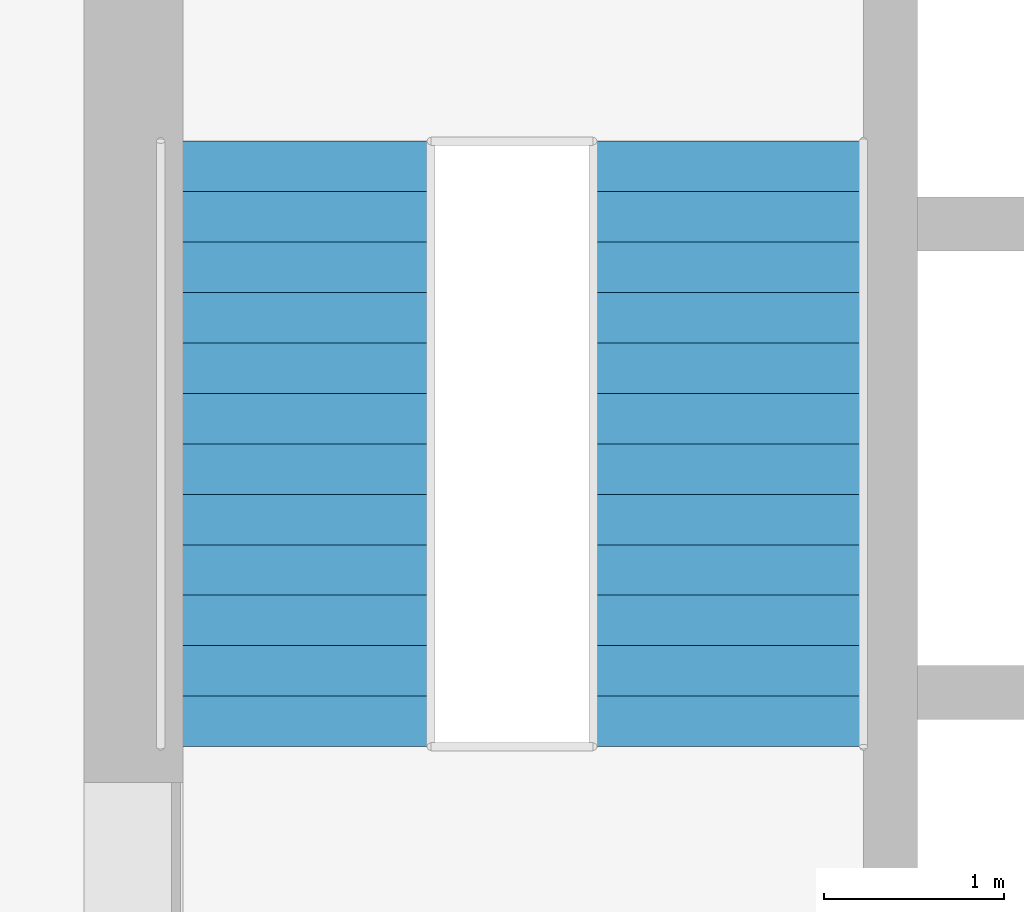
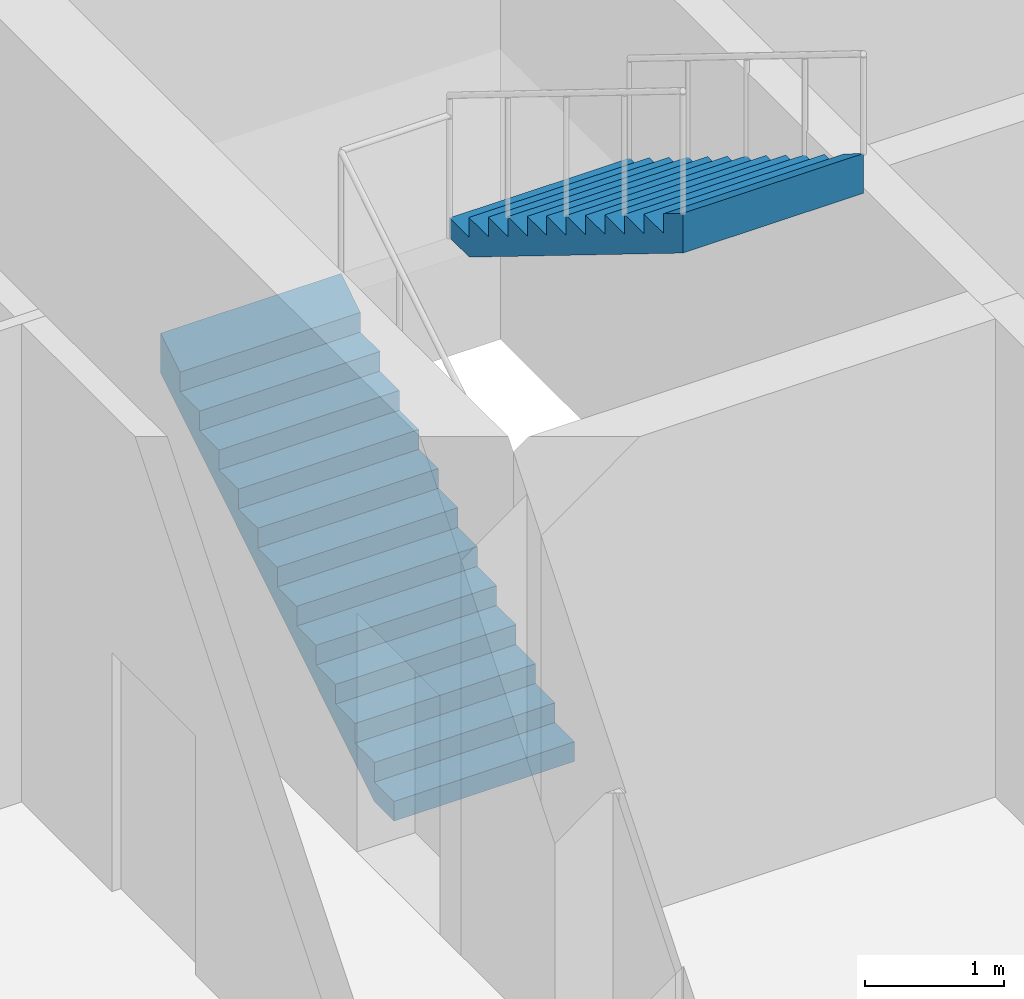
# One storey, part 8 of 11: 2 stair flights, 1 element without a shape of its own.
"""IFC4 building model written with IfcOpenShell, lengths in metres."""

import ifcopenshell
import ifcopenshell.guid

model = None  # the IFC model being written
_history = None  # IfcOwnerHistory: only IFC2X3 demands one
_inside = {}  # id of a spatial element -> (the spatial element, [elements in it])
_under = {}  # id of a project, library or spatial element -> (it, [spatial elements below it])
_declared = {}  # id of a project -> (the project, [libraries it declares])
_typed = {}  # id of a type object -> (the type object, [elements of that type])
_made_of = {}  # id of a material, layer set ... -> (it, [elements and type objects made of it])


def new_model(schema):
    """Start an empty IFC model of exactly this schema.

    Asked for "IFC4X3", IfcOpenShell would pick the latest addendum, in which some entities
    have other attributes; the version numbers below select the first issue.
    IFC2X3 requires an IfcOwnerHistory on every rooted entity: one is made here for all.
    """
    global model, _history
    if schema == "IFC4X3":
        model = ifcopenshell.file(schema_version=(4, 3, 0, 0))
    else:
        model = ifcopenshell.file(schema=schema)
    _inside.clear()
    _under.clear()
    _declared.clear()
    _typed.clear()
    _made_of.clear()
    _history = None
    if model.schema == "IFC2X3":
        org = make("IfcOrganization", Name="unknown")
        user = make(
            "IfcPersonAndOrganization",
            ThePerson=make("IfcPerson", FamilyName="unknown"),
            TheOrganization=org,
        )
        app = make(
            "IfcApplication",
            ApplicationDeveloper=org,
            Version="unknown",
            ApplicationFullName="unknown",
            ApplicationIdentifier="unknown",
        )
        _history = make(
            "IfcOwnerHistory",
            OwningUser=user,
            OwningApplication=app,
            ChangeAction="ADDED",
            CreationDate=0,
        )
    return model


def make(cls, **values):
    """One entity of the class cls with the attributes given. An attribute that is None is left unset."""
    return model.create_entity(
        cls, **{name: value for name, value in values.items() if value is not None}
    )


def rooted(cls, **values):
    """An entity with a GlobalId (a new one), such as an element, a storey or a relation."""
    return make(cls, GlobalId=ifcopenshell.guid.new(), OwnerHistory=_history, **values)


def si_unit(unit_type, name, prefix=None):
    """IfcSIUnit, for example si_unit("LENGTHUNIT", "METRE", prefix="MILLI")."""
    return make("IfcSIUnit", UnitType=unit_type, Prefix=prefix, Name=name)


def assignment(units):
    """IfcUnitAssignment: the units of a project."""
    return None if units is None else make("IfcUnitAssignment", Units=units)


def point(xyz):
    """IfcCartesianPoint."""
    return None if xyz is None else make("IfcCartesianPoint", Coordinates=xyz)


def direction(xyz):
    """IfcDirection."""
    return None if xyz is None else make("IfcDirection", DirectionRatios=xyz)


def frame(location, z_axis=None, x_axis=None):
    """IfcAxis2Placement3D, a coordinate frame: its origin and axes. An axis left out is left unset."""
    return make(
        "IfcAxis2Placement3D",
        Location=point(location),
        Axis=direction(z_axis),
        RefDirection=direction(x_axis),
    )


def origin():
    """The frame at (0, 0, 0) with its axes left unset."""
    return frame((0.0, 0.0, 0.0))


def place(relative_to, where):
    """IfcLocalPlacement: puts the frame where relative to a parent placement (None: the world)."""
    return make(
        "IfcLocalPlacement", PlacementRelTo=relative_to, RelativePlacement=where
    )


def context(
    kind, dimensions, precision=None, world=None, true_north=None, identifier=None
):
    """IfcGeometricRepresentationContext, for example the 3D "Model" context."""
    return make(
        "IfcGeometricRepresentationContext",
        ContextIdentifier=identifier,
        ContextType=kind,
        CoordinateSpaceDimension=dimensions,
        Precision=precision,
        WorldCoordinateSystem=world,
        TrueNorth=true_north,
    )


def subcontext(parent, identifier, kind, view, scale=None):
    """IfcGeometricRepresentationSubContext, for example "Body" below "Model"."""
    return make(
        "IfcGeometricRepresentationSubContext",
        ContextIdentifier=identifier,
        ContextType=kind,
        ParentContext=parent,
        TargetScale=scale,
        TargetView=view,
    )


def project(units=None, contexts=None):
    """IfcProject with its units and contexts."""
    return rooted(
        "IfcProject",
        Name="project",
        RepresentationContexts=contexts,
        UnitsInContext=assignment(units),
    )


def spatial(cls, under=None, at=None, **own):
    """A site, building, storey or space (cls), placed at a placement, below another one or the project."""
    s = rooted(cls, ObjectPlacement=at, **own)
    if under is not None:
        _under.setdefault(under.id(), (under, []))[1].append(s)
    return s


def point_list(points):
    """IfcCartesianPointList2D or 3D."""
    cls = (
        "IfcCartesianPointList2D" if len(points[0]) == 2 else "IfcCartesianPointList3D"
    )
    return make(cls, CoordList=points)


def triangles(points, corners, closed=None, point_numbers=None):
    """IfcTriangulatedFaceSet: each triangle names its three corners, points numbered from 1."""
    return make(
        "IfcTriangulatedFaceSet",
        Coordinates=point_list(points),
        Closed=closed,
        CoordIndex=corners,
        PnIndex=point_numbers,
    )


def shape(context_of_items, identifier, shape_type, items):
    """IfcShapeRepresentation: the items that make up one representation, for example the "Body"."""
    return make(
        "IfcShapeRepresentation",
        ContextOfItems=context_of_items,
        RepresentationIdentifier=identifier,
        RepresentationType=shape_type,
        Items=items,
    )


def material(Name=None, Category=None):
    """IfcMaterial."""
    return make("IfcMaterial", Name=Name, Category=Category)


def made_of(thing, what):
    """Note that an element or type object is made of a material, layer set ...; save() writes the relation."""
    if what is not None:
        _made_of.setdefault(what.id(), (what, []))[1].append(thing)
    return thing


def type_object(cls, material=None, **own):
    """A type object (cls), such as IfcWallType, which elements share."""
    return made_of(rooted(cls, **own), material)


def element(
    cls,
    number,
    at=None,
    inside=None,
    cuts=None,
    type_object=None,
    material=None,
    context=None,
    identifier="Body",
    shape_type=None,
    held_by="IfcProductDefinitionShape",
    body=None,
    shapes=None,
    **own,
):
    """One element of the class cls, such as IfcWall. Its Tag is "e" and its number.

    at: its placement. inside: the storey or other place that contains it. cuts: it is an
    opening in that element (IfcRelVoidsElement). A single representation is given by context,
    identifier, shape_type and body (its items); several are given by shapes. held_by: the class
    of the entity that holds the representations. save() writes the other relations.
    """
    e = rooted(cls, Tag="e%d" % number, ObjectPlacement=at, **own)
    if body is not None:
        shapes = [shape(context, identifier, shape_type, body)]
    if shapes is not None:
        e.Representation = make(held_by, Representations=shapes)
    if inside is not None:
        _inside.setdefault(inside.id(), (inside, []))[1].append(e)
    if cuts is not None:
        rooted(
            "IfcRelVoidsElement", RelatingBuildingElement=cuts, RelatedOpeningElement=e
        )
    if type_object is not None:
        _typed.setdefault(type_object.id(), (type_object, []))[1].append(e)
    return made_of(e, material)


def aggregate(whole, parts):
    """IfcRelAggregates: a whole, such as a stair, and the parts it consists of."""
    return rooted("IfcRelAggregates", RelatingObject=whole, RelatedObjects=parts)


def save(model, path):
    """Write the relations noted so far, then the file.

    IfcRelAggregates (storeys below a building ...), IfcRelContainedInSpatialStructure (elements
    in a storey), IfcRelDefinesByType, IfcRelAssociatesMaterial and IfcRelDeclares: one each for
    every whole, place, type object, material and project.
    """
    for whole, parts in _under.values():
        aggregate(whole, parts)
    for where, things in _inside.values():
        rooted(
            "IfcRelContainedInSpatialStructure",
            RelatedElements=things,
            RelatingStructure=where,
        )
    for kind, things in _typed.values():
        rooted("IfcRelDefinesByType", RelatedObjects=things, RelatingType=kind)
    for what, things in _made_of.values():
        rooted("IfcRelAssociatesMaterial", RelatedObjects=things, RelatingMaterial=what)
    for by, libraries in _declared.values():
        rooted("IfcRelDeclares", RelatingContext=by, RelatedDefinitions=libraries)
    model.write(path)


model = new_model("IFC4")

# Units and contexts
model_context = context("Model", 3, precision=1e-05, world=origin(), true_north=direction((0.0, 1.0)))
body_context = subcontext(model_context, "Body", "Model", "MODEL_VIEW")
ifc_project = project(units=[si_unit("LENGTHUNIT", "METRE"), si_unit("AREAUNIT", "SQUARE_METRE"), si_unit("VOLUMEUNIT", "CUBIC_METRE"), si_unit("PLANEANGLEUNIT", "RADIAN"), si_unit("MASSUNIT", "GRAM", prefix="KILO")], contexts=[model_context])

# Site, building, storey
site_placement = place(None, origin())
site = spatial("IfcSite", under=ifc_project, at=site_placement, CompositionType="ELEMENT")
building_placement = place(site_placement, origin())
building = spatial("IfcBuilding", under=site, at=building_placement, Name="Ludao Terraces", CompositionType="ELEMENT")
storey_placement = place(building_placement, frame((0.0, 0.0, 144.10009765625)))
storey = spatial("IfcBuildingStorey", under=building, at=storey_placement, Name="L39", CompositionType="ELEMENT", Elevation=144.10009765625)

# Stair, stair flights
ifc_material = material(Name="Concrete C40", Category="concrete")
stair_type = type_object("IfcStairType", Name="INT Stair", PredefinedType="HALF_TURN_STAIR", material=ifc_material)
stair_placement = place(storey_placement, origin())
stair = element("IfcStair", 1, at=stair_placement, inside=storey, type_object=stair_type, Name="EXIT STAIR 1", PredefinedType="HALF_TURN_STAIR")
stair_flight_type = type_object("IfcStairFlightType", Name="INT Stair flight", PredefinedType="STRAIGHT", material=ifc_material)
stair_flight_1_placement = place(storey_placement, frame((76.14990234375, 79.0, 0.0), z_axis=(0.0, 0.0, 1.0), x_axis=(0.0, 1.0, 0.0)))
stair_flight_1 = element("IfcStairFlight", 2, at=stair_flight_1_placement, type_object=stair_flight_type, Name="ST1 flight 1", NumberOfRisers=13, NumberOfTreads=12, PredefinedType="STRAIGHT", RiserHeight=0.173077, TreadLength=0.28, context=body_context, shape_type="Tessellation", body=[
    triangles([(0.0, -0.75, 0.0), (0.0, -0.5, 0.0), (0.0, -0.25, 0.0), (0.0, 0.0, 0.0), (0.0, 0.25, 0.0), (0.0, 0.5, 0.0), (0.0, 0.75, 0.0), (0.0, -0.75, 0.173095703125), (0.0, -0.5, 0.173095703125), (0.0, -0.25, 0.173095703125), (0.0, 0.0, 0.173095703125), (0.0, 0.25, 0.173095703125), (0.0, 0.5, 0.173095703125), (0.0, 0.75, 0.173095703125), (0.280029296875, -0.75, 0.173095703125), (0.280029296875, -0.5, 0.173095703125), (0.280029296875, -0.25, 0.173095703125), (0.280029296875, 0.0, 0.173095703125), (0.280029296875, 0.25, 0.173095703125), (0.280029296875, 0.5, 0.173095703125), (0.280029296875, 0.75, 0.173095703125), (0.280029296875, -0.75, 0.34619140625), (0.280029296875, -0.5, 0.34619140625), (0.280029296875, -0.25, 0.34619140625), (0.280029296875, 0.0, 0.34619140625), (0.280029296875, 0.25, 0.34619140625), (0.280029296875, 0.5, 0.34619140625), (0.280029296875, 0.75, 0.34619140625), (0.56005859375, -0.75, 0.34619140625), (0.56005859375, -0.5, 0.34619140625), (0.56005859375, -0.25, 0.34619140625), (0.56005859375, 0.0, 0.34619140625), (0.56005859375, 0.25, 0.34619140625), (0.56005859375, 0.5, 0.34619140625), (0.56005859375, 0.75, 0.34619140625), (0.56005859375, -0.75, 0.519287109375), (0.56005859375, -0.5, 0.519287109375), (0.56005859375, -0.25, 0.519287109375), (0.56005859375, 0.0, 0.519287109375), (0.56005859375, 0.25, 0.519287109375), (0.56005859375, 0.5, 0.519287109375), (0.56005859375, 0.75, 0.519287109375), (0.840087890625, -0.75, 0.519287109375), (0.840087890625, -0.5, 0.519287109375), (0.840087890625, -0.25, 0.519287109375), (0.840087890625, 0.0, 0.519287109375), (0.840087890625, 0.25, 0.519287109375), (0.840087890625, 0.5, 0.519287109375), (0.840087890625, 0.75, 0.519287109375), (0.840087890625, -0.75, 0.6923828125), (0.840087890625, -0.5, 0.6923828125), (0.840087890625, -0.25, 0.6923828125), (0.840087890625, 0.0, 0.6923828125), (0.840087890625, 0.25, 0.6923828125), (0.840087890625, 0.5, 0.6923828125), (0.840087890625, 0.75, 0.6923828125), (1.1201171875, -0.75, 0.6923828125), (1.1201171875, -0.5, 0.6923828125), (1.1201171875, -0.25, 0.6923828125), (1.1201171875, 0.0, 0.6923828125), (1.1201171875, 0.25, 0.6923828125), (1.1201171875, 0.5, 0.6923828125), (1.1201171875, 0.75, 0.6923828125), (1.1201171875, -0.75, 0.865478515625), (1.1201171875, -0.5, 0.865478515625), (1.1201171875, -0.25, 0.865478515625), (1.1201171875, 0.0, 0.865478515625), (1.1201171875, 0.25, 0.865478515625), (1.1201171875, 0.5, 0.865478515625), (1.1201171875, 0.75, 0.865478515625), (1.39990234375, -0.75, 0.865478515625), (1.39990234375, -0.5, 0.865478515625), (1.39990234375, -0.25, 0.865478515625), (1.39990234375, 0.0, 0.865478515625), (1.39990234375, 0.25, 0.865478515625), (1.39990234375, 0.5, 0.865478515625), (1.39990234375, 0.75, 0.865478515625), (1.39990234375, -0.75, 1.03857421875), (1.39990234375, -0.5, 1.03857421875), (1.39990234375, -0.25, 1.03857421875), (1.39990234375, 0.0, 1.03857421875), (1.39990234375, 0.25, 1.03857421875), (1.39990234375, 0.5, 1.03857421875), (1.39990234375, 0.75, 1.03857421875), (1.679931640625, -0.75, 1.03857421875), (1.679931640625, -0.5, 1.03857421875), (1.679931640625, -0.25, 1.03857421875), (1.679931640625, 0.0, 1.03857421875), (1.679931640625, 0.25, 1.03857421875), (1.679931640625, 0.5, 1.03857421875), (1.679931640625, 0.75, 1.03857421875), (1.679931640625, -0.75, 1.21142578125), (1.679931640625, -0.5, 1.21142578125), (1.679931640625, -0.25, 1.21142578125), (1.679931640625, 0.0, 1.21142578125), (1.679931640625, 0.25, 1.21142578125), (1.679931640625, 0.5, 1.21142578125), (1.679931640625, 0.75, 1.21142578125), (1.9599609375, -0.75, 1.21142578125), (1.9599609375, -0.5, 1.21142578125), (1.9599609375, -0.25, 1.21142578125), (1.9599609375, 0.0, 1.21142578125), (1.9599609375, 0.25, 1.21142578125), (1.9599609375, 0.5, 1.21142578125), (1.9599609375, 0.75, 1.21142578125), (1.9599609375, -0.75, 1.384521484375), (1.9599609375, -0.5, 1.384521484375), (1.9599609375, -0.25, 1.384521484375), (1.9599609375, 0.0, 1.384521484375), (1.9599609375, 0.25, 1.384521484375), (1.9599609375, 0.5, 1.384521484375), (1.9599609375, 0.75, 1.384521484375), (2.239990234375, -0.75, 1.384521484375), (2.239990234375, -0.5, 1.384521484375), (2.239990234375, -0.25, 1.384521484375), (2.239990234375, 0.0, 1.384521484375), (2.239990234375, 0.25, 1.384521484375), (2.239990234375, 0.5, 1.384521484375), (2.239990234375, 0.75, 1.384521484375), (2.239990234375, -0.75, 1.5576171875), (2.239990234375, -0.5, 1.5576171875), (2.239990234375, -0.25, 1.5576171875), (2.239990234375, 0.0, 1.5576171875), (2.239990234375, 0.25, 1.5576171875), (2.239990234375, 0.5, 1.5576171875), (2.239990234375, 0.75, 1.5576171875), (2.52001953125, -0.75, 1.5576171875), (2.52001953125, -0.5, 1.5576171875), (2.52001953125, -0.25, 1.5576171875), (2.52001953125, 0.0, 1.5576171875), (2.52001953125, 0.25, 1.5576171875), (2.52001953125, 0.5, 1.5576171875), (2.52001953125, 0.75, 1.5576171875), (2.52001953125, -0.75, 1.730712890625), (2.52001953125, -0.5, 1.730712890625), (2.52001953125, -0.25, 1.730712890625), (2.52001953125, 0.0, 1.730712890625), (2.52001953125, 0.25, 1.730712890625), (2.52001953125, 0.5, 1.730712890625), (2.52001953125, 0.75, 1.730712890625), (2.800048828125, -0.75, 1.730712890625), (2.800048828125, -0.5, 1.730712890625), (2.800048828125, -0.25, 1.730712890625), (2.800048828125, 0.0, 1.730712890625), (2.800048828125, 0.25, 1.730712890625), (2.800048828125, 0.5, 1.730712890625), (2.800048828125, 0.75, 1.730712890625), (2.800048828125, -0.75, 1.90380859375), (2.800048828125, -0.5, 1.90380859375), (2.800048828125, -0.25, 1.90380859375), (2.800048828125, 0.0, 1.90380859375), (2.800048828125, 0.25, 1.90380859375), (2.800048828125, 0.5, 1.90380859375), (2.800048828125, 0.75, 1.90380859375), (3.080078125, -0.75, 1.90380859375), (3.080078125, -0.5, 1.90380859375), (3.080078125, -0.25, 1.90380859375), (3.080078125, 0.0, 1.90380859375), (3.080078125, 0.25, 1.90380859375), (3.080078125, 0.5, 1.90380859375), (3.080078125, 0.75, 1.90380859375), (3.080078125, -0.75, 2.076904296875), (3.080078125, -0.5, 2.076904296875), (3.080078125, -0.25, 2.076904296875), (3.080078125, 0.0, 2.076904296875), (3.080078125, 0.25, 2.076904296875), (3.080078125, 0.5, 2.076904296875), (3.080078125, 0.75, 2.076904296875), (3.360107421875, -0.75, 2.25), (3.360107421875, -0.5, 2.25), (3.360107421875, -0.25, 2.25), (3.360107421875, 0.0, 2.25), (3.360107421875, 0.25, 2.25), (3.360107421875, 0.5, 2.25), (3.360107421875, 0.75, 2.25), (3.360107421875, -0.75, 1.900634765625), (3.360107421875, -0.5, 1.900634765625), (3.360107421875, -0.25, 1.900634765625), (3.360107421875, 0.0, 1.900634765625), (3.360107421875, 0.25, 1.900634765625), (3.360107421875, 0.5, 1.900634765625), (3.360107421875, 0.75, 1.900634765625), (0.28515625, -0.75, 0.0), (0.28515625, -0.5, 0.0), (0.28515625, -0.25, 0.0), (0.28515625, 0.0, 0.0), (0.28515625, 0.25, 0.0), (0.28515625, 0.5, 0.0), (0.28515625, 0.75, 0.0)], [[1, 183, 176], [7, 182, 189], [176, 169, 162], [182, 168, 175], [176, 162, 155], [182, 161, 168], [176, 155, 148], [182, 154, 161], [176, 148, 141], [182, 147, 154], [141, 134, 127], [147, 133, 140], [176, 141, 127], [182, 133, 147], [127, 120, 113], [133, 119, 126], [176, 127, 113], [182, 119, 133], [113, 106, 99], [119, 105, 112], [176, 113, 99], [182, 105, 119], [1, 176, 99], [7, 105, 182], [99, 92, 85], [105, 91, 98], [85, 78, 71], [91, 77, 84], [99, 85, 71], [105, 77, 91], [71, 64, 57], [77, 63, 70], [99, 71, 57], [105, 63, 77], [57, 50, 43], [63, 49, 56], [99, 57, 43], [105, 49, 63], [43, 36, 29], [49, 35, 42], [99, 43, 29], [105, 35, 49], [29, 22, 15], [35, 21, 28], [99, 29, 15], [105, 21, 35], [1, 99, 15], [7, 21, 105], [15, 8, 1], [21, 7, 14], [1, 9, 2], [1, 8, 9], [2, 10, 3], [2, 9, 10], [3, 11, 4], [3, 10, 11], [4, 12, 5], [4, 11, 12], [5, 13, 6], [5, 12, 13], [6, 14, 7], [6, 13, 14], [8, 16, 9], [8, 15, 16], [9, 17, 10], [9, 16, 17], [10, 18, 11], [10, 17, 18], [11, 19, 12], [11, 18, 19], [12, 20, 13], [12, 19, 20], [13, 21, 14], [13, 20, 21], [15, 23, 16], [15, 22, 23], [16, 24, 17], [16, 23, 24], [17, 25, 18], [17, 24, 25], [18, 26, 19], [18, 25, 26], [19, 27, 20], [19, 26, 27], [20, 28, 21], [20, 27, 28], [22, 30, 23], [22, 29, 30], [23, 31, 24], [23, 30, 31], [24, 32, 25], [24, 31, 32], [25, 33, 26], [25, 32, 33], [26, 34, 27], [26, 33, 34], [27, 35, 28], [27, 34, 35], [29, 37, 30], [29, 36, 37], [30, 38, 31], [30, 37, 38], [31, 39, 32], [31, 38, 39], [32, 40, 33], [32, 39, 40], [33, 41, 34], [33, 40, 41], [34, 42, 35], [34, 41, 42], [36, 44, 37], [36, 43, 44], [37, 45, 38], [37, 44, 45], [38, 46, 39], [38, 45, 46], [39, 47, 40], [39, 46, 47], [40, 48, 41], [40, 47, 48], [41, 49, 42], [41, 48, 49], [43, 51, 44], [43, 50, 51], [44, 52, 45], [44, 51, 52], [45, 53, 46], [45, 52, 53], [46, 54, 47], [46, 53, 54], [47, 55, 48], [47, 54, 55], [48, 56, 49], [48, 55, 56], [50, 58, 51], [50, 57, 58], [51, 59, 52], [51, 58, 59], [52, 60, 53], [52, 59, 60], [53, 61, 54], [53, 60, 61], [54, 62, 55], [54, 61, 62], [55, 63, 56], [55, 62, 63], [57, 65, 58], [57, 64, 65], [58, 66, 59], [58, 65, 66], [59, 67, 60], [59, 66, 67], [60, 68, 61], [60, 67, 68], [61, 69, 62], [61, 68, 69], [62, 70, 63], [62, 69, 70], [64, 72, 65], [64, 71, 72], [65, 73, 66], [65, 72, 73], [66, 74, 67], [66, 73, 74], [67, 75, 68], [67, 74, 75], [68, 76, 69], [68, 75, 76], [69, 77, 70], [69, 76, 77], [71, 79, 72], [71, 78, 79], [72, 80, 73], [72, 79, 80], [73, 81, 74], [73, 80, 81], [74, 82, 75], [74, 81, 82], [75, 83, 76], [75, 82, 83], [76, 84, 77], [76, 83, 84], [78, 86, 79], [78, 85, 86], [79, 87, 80], [79, 86, 87], [80, 88, 81], [80, 87, 88], [81, 89, 82], [81, 88, 89], [82, 90, 83], [82, 89, 90], [83, 91, 84], [83, 90, 91], [85, 93, 86], [85, 92, 93], [86, 94, 87], [86, 93, 94], [87, 95, 88], [87, 94, 95], [88, 96, 89], [88, 95, 96], [89, 97, 90], [89, 96, 97], [90, 98, 91], [90, 97, 98], [92, 100, 93], [92, 99, 100], [93, 101, 94], [93, 100, 101], [94, 102, 95], [94, 101, 102], [95, 103, 96], [95, 102, 103], [96, 104, 97], [96, 103, 104], [97, 105, 98], [97, 104, 105], [99, 107, 100], [99, 106, 107], [100, 108, 101], [100, 107, 108], [101, 109, 102], [101, 108, 109], [102, 110, 103], [102, 109, 110], [103, 111, 104], [103, 110, 111], [104, 112, 105], [104, 111, 112], [106, 114, 107], [106, 113, 114], [107, 115, 108], [107, 114, 115], [108, 116, 109], [108, 115, 116], [109, 117, 110], [109, 116, 117], [110, 118, 111], [110, 117, 118], [111, 119, 112], [111, 118, 119], [113, 121, 114], [113, 120, 121], [114, 122, 115], [114, 121, 122], [115, 123, 116], [115, 122, 123], [116, 124, 117], [116, 123, 124], [117, 125, 118], [117, 124, 125], [118, 126, 119], [118, 125, 126], [120, 128, 121], [120, 127, 128], [121, 129, 122], [121, 128, 129], [122, 130, 123], [122, 129, 130], [123, 131, 124], [123, 130, 131], [124, 132, 125], [124, 131, 132], [125, 133, 126], [125, 132, 133], [127, 135, 128], [127, 134, 135], [128, 136, 129], [128, 135, 136], [129, 137, 130], [129, 136, 137], [130, 138, 131], [130, 137, 138], [131, 139, 132], [131, 138, 139], [132, 140, 133], [132, 139, 140], [134, 142, 135], [134, 141, 142], [135, 143, 136], [135, 142, 143], [136, 144, 137], [136, 143, 144], [137, 145, 138], [137, 144, 145], [138, 146, 139], [138, 145, 146], [139, 147, 140], [139, 146, 147], [141, 149, 142], [141, 148, 149], [142, 150, 143], [142, 149, 150], [143, 151, 144], [143, 150, 151], [144, 152, 145], [144, 151, 152], [145, 153, 146], [145, 152, 153], [146, 154, 147], [146, 153, 154], [148, 156, 149], [148, 155, 156], [149, 157, 150], [149, 156, 157], [150, 158, 151], [150, 157, 158], [151, 159, 152], [151, 158, 159], [152, 160, 153], [152, 159, 160], [153, 161, 154], [153, 160, 161], [155, 163, 156], [155, 162, 163], [156, 164, 157], [156, 163, 164], [157, 165, 158], [157, 164, 165], [158, 166, 159], [158, 165, 166], [159, 167, 160], [159, 166, 167], [160, 168, 161], [160, 167, 168], [162, 170, 163], [162, 169, 170], [163, 171, 164], [163, 170, 171], [164, 172, 165], [164, 171, 172], [165, 173, 166], [165, 172, 173], [166, 174, 167], [166, 173, 174], [167, 175, 168], [167, 174, 175], [169, 177, 170], [169, 176, 177], [170, 178, 171], [170, 177, 178], [171, 179, 172], [171, 178, 179], [172, 180, 173], [172, 179, 180], [173, 181, 174], [173, 180, 181], [174, 182, 175], [174, 181, 182], [176, 184, 177], [176, 183, 184], [177, 185, 178], [177, 184, 185], [178, 186, 179], [178, 185, 186], [179, 187, 180], [179, 186, 187], [180, 188, 181], [180, 187, 188], [181, 189, 182], [181, 188, 189], [183, 2, 184], [183, 1, 2], [184, 3, 185], [184, 2, 3], [185, 4, 186], [185, 3, 4], [186, 5, 187], [186, 4, 5], [187, 6, 188], [187, 5, 6], [188, 7, 189], [188, 6, 7]], closed=True),
])
stair_flight_2_placement = place(storey_placement, frame((78.550048828125, 82.360107421875, 2.25), z_axis=(0.0, 0.0, 1.0), x_axis=(0.0, -1.0, 0.0)))
stair_flight_2 = element("IfcStairFlight", 3, at=stair_flight_2_placement, type_object=stair_flight_type, Name="ST1 flight 2", NumberOfRisers=13, NumberOfTreads=12, PredefinedType="STRAIGHT", RiserHeight=0.173077, TreadLength=0.28, context=body_context, shape_type="Tessellation", body=[
    triangles([(0.0, -0.75, 0.0), (0.0, -0.5, 0.0), (0.0, -0.25, 0.0), (0.0, 0.0, 0.0), (0.0, 0.25, 0.0), (0.0, 0.5, 0.0), (0.0, 0.75, 0.0), (0.0, -0.75, 0.173095703125), (0.0, -0.5, 0.173095703125), (0.0, -0.25, 0.173095703125), (0.0, 0.0, 0.173095703125), (0.0, 0.25, 0.173095703125), (0.0, 0.5, 0.173095703125), (0.0, 0.75, 0.173095703125), (0.280029296875, -0.75, 0.173095703125), (0.280029296875, -0.5, 0.173095703125), (0.280029296875, -0.25, 0.173095703125), (0.280029296875, 0.0, 0.173095703125), (0.280029296875, 0.25, 0.173095703125), (0.280029296875, 0.5, 0.173095703125), (0.280029296875, 0.75, 0.173095703125), (0.280029296875, -0.75, 0.34619140625), (0.280029296875, -0.5, 0.34619140625), (0.280029296875, -0.25, 0.34619140625), (0.280029296875, 0.0, 0.34619140625), (0.280029296875, 0.25, 0.34619140625), (0.280029296875, 0.5, 0.34619140625), (0.280029296875, 0.75, 0.34619140625), (0.56005859375, -0.75, 0.34619140625), (0.56005859375, -0.5, 0.34619140625), (0.56005859375, -0.25, 0.34619140625), (0.56005859375, 0.0, 0.34619140625), (0.56005859375, 0.25, 0.34619140625), (0.56005859375, 0.5, 0.34619140625), (0.56005859375, 0.75, 0.34619140625), (0.56005859375, -0.75, 0.519287109375), (0.56005859375, -0.5, 0.519287109375), (0.56005859375, -0.25, 0.519287109375), (0.56005859375, 0.0, 0.519287109375), (0.56005859375, 0.25, 0.519287109375), (0.56005859375, 0.5, 0.519287109375), (0.56005859375, 0.75, 0.519287109375), (0.840087890625, -0.75, 0.519287109375), (0.840087890625, -0.5, 0.519287109375), (0.840087890625, -0.25, 0.519287109375), (0.840087890625, 0.0, 0.519287109375), (0.840087890625, 0.25, 0.519287109375), (0.840087890625, 0.5, 0.519287109375), (0.840087890625, 0.75, 0.519287109375), (0.840087890625, -0.75, 0.6923828125), (0.840087890625, -0.5, 0.6923828125), (0.840087890625, -0.25, 0.6923828125), (0.840087890625, 0.0, 0.6923828125), (0.840087890625, 0.25, 0.6923828125), (0.840087890625, 0.5, 0.6923828125), (0.840087890625, 0.75, 0.6923828125), (1.1201171875, -0.75, 0.6923828125), (1.1201171875, -0.5, 0.6923828125), (1.1201171875, -0.25, 0.6923828125), (1.1201171875, 0.0, 0.6923828125), (1.1201171875, 0.25, 0.6923828125), (1.1201171875, 0.5, 0.6923828125), (1.1201171875, 0.75, 0.6923828125), (1.1201171875, -0.75, 0.865478515625), (1.1201171875, -0.5, 0.865478515625), (1.1201171875, -0.25, 0.865478515625), (1.1201171875, 0.0, 0.865478515625), (1.1201171875, 0.25, 0.865478515625), (1.1201171875, 0.5, 0.865478515625), (1.1201171875, 0.75, 0.865478515625), (1.39990234375, -0.75, 0.865478515625), (1.39990234375, -0.5, 0.865478515625), (1.39990234375, -0.25, 0.865478515625), (1.39990234375, 0.0, 0.865478515625), (1.39990234375, 0.25, 0.865478515625), (1.39990234375, 0.5, 0.865478515625), (1.39990234375, 0.75, 0.865478515625), (1.39990234375, -0.75, 1.03857421875), (1.39990234375, -0.5, 1.03857421875), (1.39990234375, -0.25, 1.03857421875), (1.39990234375, 0.0, 1.03857421875), (1.39990234375, 0.25, 1.03857421875), (1.39990234375, 0.5, 1.03857421875), (1.39990234375, 0.75, 1.03857421875), (1.679931640625, -0.75, 1.03857421875), (1.679931640625, -0.5, 1.03857421875), (1.679931640625, -0.25, 1.03857421875), (1.679931640625, 0.0, 1.03857421875), (1.679931640625, 0.25, 1.03857421875), (1.679931640625, 0.5, 1.03857421875), (1.679931640625, 0.75, 1.03857421875), (1.679931640625, -0.75, 1.21142578125), (1.679931640625, -0.5, 1.21142578125), (1.679931640625, -0.25, 1.21142578125), (1.679931640625, 0.0, 1.21142578125), (1.679931640625, 0.25, 1.21142578125), (1.679931640625, 0.5, 1.21142578125), (1.679931640625, 0.75, 1.21142578125), (1.9599609375, -0.75, 1.21142578125), (1.9599609375, -0.5, 1.21142578125), (1.9599609375, -0.25, 1.21142578125), (1.9599609375, 0.0, 1.21142578125), (1.9599609375, 0.25, 1.21142578125), (1.9599609375, 0.5, 1.21142578125), (1.9599609375, 0.75, 1.21142578125), (1.9599609375, -0.75, 1.384521484375), (1.9599609375, -0.5, 1.384521484375), (1.9599609375, -0.25, 1.384521484375), (1.9599609375, 0.0, 1.384521484375), (1.9599609375, 0.25, 1.384521484375), (1.9599609375, 0.5, 1.384521484375), (1.9599609375, 0.75, 1.384521484375), (2.239990234375, -0.75, 1.384521484375), (2.239990234375, -0.5, 1.384521484375), (2.239990234375, -0.25, 1.384521484375), (2.239990234375, 0.0, 1.384521484375), (2.239990234375, 0.25, 1.384521484375), (2.239990234375, 0.5, 1.384521484375), (2.239990234375, 0.75, 1.384521484375), (2.239990234375, -0.75, 1.5576171875), (2.239990234375, -0.5, 1.5576171875), (2.239990234375, -0.25, 1.5576171875), (2.239990234375, 0.0, 1.5576171875), (2.239990234375, 0.25, 1.5576171875), (2.239990234375, 0.5, 1.5576171875), (2.239990234375, 0.75, 1.5576171875), (2.52001953125, -0.75, 1.5576171875), (2.52001953125, -0.5, 1.5576171875), (2.52001953125, -0.25, 1.5576171875), (2.52001953125, 0.0, 1.5576171875), (2.52001953125, 0.25, 1.5576171875), (2.52001953125, 0.5, 1.5576171875), (2.52001953125, 0.75, 1.5576171875), (2.52001953125, -0.75, 1.730712890625), (2.52001953125, -0.5, 1.730712890625), (2.52001953125, -0.25, 1.730712890625), (2.52001953125, 0.0, 1.730712890625), (2.52001953125, 0.25, 1.730712890625), (2.52001953125, 0.5, 1.730712890625), (2.52001953125, 0.75, 1.730712890625), (2.800048828125, -0.75, 1.730712890625), (2.800048828125, -0.5, 1.730712890625), (2.800048828125, -0.25, 1.730712890625), (2.800048828125, 0.0, 1.730712890625), (2.800048828125, 0.25, 1.730712890625), (2.800048828125, 0.5, 1.730712890625), (2.800048828125, 0.75, 1.730712890625), (2.800048828125, -0.75, 1.90380859375), (2.800048828125, -0.5, 1.90380859375), (2.800048828125, -0.25, 1.90380859375), (2.800048828125, 0.0, 1.90380859375), (2.800048828125, 0.25, 1.90380859375), (2.800048828125, 0.5, 1.90380859375), (2.800048828125, 0.75, 1.90380859375), (3.080078125, -0.75, 1.90380859375), (3.080078125, -0.5, 1.90380859375), (3.080078125, -0.25, 1.90380859375), (3.080078125, 0.0, 1.90380859375), (3.080078125, 0.25, 1.90380859375), (3.080078125, 0.5, 1.90380859375), (3.080078125, 0.75, 1.90380859375), (3.080078125, -0.75, 2.076904296875), (3.080078125, -0.5, 2.076904296875), (3.080078125, -0.25, 2.076904296875), (3.080078125, 0.0, 2.076904296875), (3.080078125, 0.25, 2.076904296875), (3.080078125, 0.5, 2.076904296875), (3.080078125, 0.75, 2.076904296875), (3.360107421875, -0.75, 2.25), (3.360107421875, -0.5, 2.25), (3.360107421875, -0.25, 2.25), (3.360107421875, 0.0, 2.25), (3.360107421875, 0.25, 2.25), (3.360107421875, 0.5, 2.25), (3.360107421875, 0.75, 2.25), (3.360107421875, -0.75, 1.900634765625), (3.360107421875, -0.5, 1.900634765625), (3.360107421875, -0.25, 1.900634765625), (3.360107421875, 0.0, 1.900634765625), (3.360107421875, 0.25, 1.900634765625), (3.360107421875, 0.5, 1.900634765625), (3.360107421875, 0.75, 1.900634765625), (0.28515625, -0.75, 0.0), (0.28515625, -0.5, 0.0), (0.28515625, -0.25, 0.0), (0.28515625, 0.0, 0.0), (0.28515625, 0.25, 0.0), (0.28515625, 0.5, 0.0), (0.28515625, 0.75, 0.0)], [[1, 183, 176], [7, 182, 189], [176, 169, 162], [182, 168, 175], [176, 162, 155], [182, 161, 168], [176, 155, 148], [182, 154, 161], [176, 148, 141], [182, 147, 154], [141, 134, 127], [147, 133, 140], [176, 141, 127], [182, 133, 147], [127, 120, 113], [133, 119, 126], [176, 127, 113], [182, 119, 133], [113, 106, 99], [119, 105, 112], [176, 113, 99], [182, 105, 119], [1, 176, 99], [7, 105, 182], [99, 92, 85], [105, 91, 98], [85, 78, 71], [91, 77, 84], [99, 85, 71], [105, 77, 91], [71, 64, 57], [77, 63, 70], [99, 71, 57], [105, 63, 77], [57, 50, 43], [63, 49, 56], [99, 57, 43], [105, 49, 63], [43, 36, 29], [49, 35, 42], [99, 43, 29], [105, 35, 49], [29, 22, 15], [35, 21, 28], [99, 29, 15], [105, 21, 35], [1, 99, 15], [7, 21, 105], [15, 8, 1], [21, 7, 14], [1, 9, 2], [1, 8, 9], [2, 10, 3], [2, 9, 10], [3, 11, 4], [3, 10, 11], [4, 12, 5], [4, 11, 12], [5, 13, 6], [5, 12, 13], [6, 14, 7], [6, 13, 14], [8, 16, 9], [8, 15, 16], [9, 17, 10], [9, 16, 17], [10, 18, 11], [10, 17, 18], [11, 19, 12], [11, 18, 19], [12, 20, 13], [12, 19, 20], [13, 21, 14], [13, 20, 21], [15, 23, 16], [15, 22, 23], [16, 24, 17], [16, 23, 24], [17, 25, 18], [17, 24, 25], [18, 26, 19], [18, 25, 26], [19, 27, 20], [19, 26, 27], [20, 28, 21], [20, 27, 28], [22, 30, 23], [22, 29, 30], [23, 31, 24], [23, 30, 31], [24, 32, 25], [24, 31, 32], [25, 33, 26], [25, 32, 33], [26, 34, 27], [26, 33, 34], [27, 35, 28], [27, 34, 35], [29, 37, 30], [29, 36, 37], [30, 38, 31], [30, 37, 38], [31, 39, 32], [31, 38, 39], [32, 40, 33], [32, 39, 40], [33, 41, 34], [33, 40, 41], [34, 42, 35], [34, 41, 42], [36, 44, 37], [36, 43, 44], [37, 45, 38], [37, 44, 45], [38, 46, 39], [38, 45, 46], [39, 47, 40], [39, 46, 47], [40, 48, 41], [40, 47, 48], [41, 49, 42], [41, 48, 49], [43, 51, 44], [43, 50, 51], [44, 52, 45], [44, 51, 52], [45, 53, 46], [45, 52, 53], [46, 54, 47], [46, 53, 54], [47, 55, 48], [47, 54, 55], [48, 56, 49], [48, 55, 56], [50, 58, 51], [50, 57, 58], [51, 59, 52], [51, 58, 59], [52, 60, 53], [52, 59, 60], [53, 61, 54], [53, 60, 61], [54, 62, 55], [54, 61, 62], [55, 63, 56], [55, 62, 63], [57, 65, 58], [57, 64, 65], [58, 66, 59], [58, 65, 66], [59, 67, 60], [59, 66, 67], [60, 68, 61], [60, 67, 68], [61, 69, 62], [61, 68, 69], [62, 70, 63], [62, 69, 70], [64, 72, 65], [64, 71, 72], [65, 73, 66], [65, 72, 73], [66, 74, 67], [66, 73, 74], [67, 75, 68], [67, 74, 75], [68, 76, 69], [68, 75, 76], [69, 77, 70], [69, 76, 77], [71, 79, 72], [71, 78, 79], [72, 80, 73], [72, 79, 80], [73, 81, 74], [73, 80, 81], [74, 82, 75], [74, 81, 82], [75, 83, 76], [75, 82, 83], [76, 84, 77], [76, 83, 84], [78, 86, 79], [78, 85, 86], [79, 87, 80], [79, 86, 87], [80, 88, 81], [80, 87, 88], [81, 89, 82], [81, 88, 89], [82, 90, 83], [82, 89, 90], [83, 91, 84], [83, 90, 91], [85, 93, 86], [85, 92, 93], [86, 94, 87], [86, 93, 94], [87, 95, 88], [87, 94, 95], [88, 96, 89], [88, 95, 96], [89, 97, 90], [89, 96, 97], [90, 98, 91], [90, 97, 98], [92, 100, 93], [92, 99, 100], [93, 101, 94], [93, 100, 101], [94, 102, 95], [94, 101, 102], [95, 103, 96], [95, 102, 103], [96, 104, 97], [96, 103, 104], [97, 105, 98], [97, 104, 105], [99, 107, 100], [99, 106, 107], [100, 108, 101], [100, 107, 108], [101, 109, 102], [101, 108, 109], [102, 110, 103], [102, 109, 110], [103, 111, 104], [103, 110, 111], [104, 112, 105], [104, 111, 112], [106, 114, 107], [106, 113, 114], [107, 115, 108], [107, 114, 115], [108, 116, 109], [108, 115, 116], [109, 117, 110], [109, 116, 117], [110, 118, 111], [110, 117, 118], [111, 119, 112], [111, 118, 119], [113, 121, 114], [113, 120, 121], [114, 122, 115], [114, 121, 122], [115, 123, 116], [115, 122, 123], [116, 124, 117], [116, 123, 124], [117, 125, 118], [117, 124, 125], [118, 126, 119], [118, 125, 126], [120, 128, 121], [120, 127, 128], [121, 129, 122], [121, 128, 129], [122, 130, 123], [122, 129, 130], [123, 131, 124], [123, 130, 131], [124, 132, 125], [124, 131, 132], [125, 133, 126], [125, 132, 133], [127, 135, 128], [127, 134, 135], [128, 136, 129], [128, 135, 136], [129, 137, 130], [129, 136, 137], [130, 138, 131], [130, 137, 138], [131, 139, 132], [131, 138, 139], [132, 140, 133], [132, 139, 140], [134, 142, 135], [134, 141, 142], [135, 143, 136], [135, 142, 143], [136, 144, 137], [136, 143, 144], [137, 145, 138], [137, 144, 145], [138, 146, 139], [138, 145, 146], [139, 147, 140], [139, 146, 147], [141, 149, 142], [141, 148, 149], [142, 150, 143], [142, 149, 150], [143, 151, 144], [143, 150, 151], [144, 152, 145], [144, 151, 152], [145, 153, 146], [145, 152, 153], [146, 154, 147], [146, 153, 154], [148, 156, 149], [148, 155, 156], [149, 157, 150], [149, 156, 157], [150, 158, 151], [150, 157, 158], [151, 159, 152], [151, 158, 159], [152, 160, 153], [152, 159, 160], [153, 161, 154], [153, 160, 161], [155, 163, 156], [155, 162, 163], [156, 164, 157], [156, 163, 164], [157, 165, 158], [157, 164, 165], [158, 166, 159], [158, 165, 166], [159, 167, 160], [159, 166, 167], [160, 168, 161], [160, 167, 168], [162, 170, 163], [162, 169, 170], [163, 171, 164], [163, 170, 171], [164, 172, 165], [164, 171, 172], [165, 173, 166], [165, 172, 173], [166, 174, 167], [166, 173, 174], [167, 175, 168], [167, 174, 175], [169, 177, 170], [169, 176, 177], [170, 178, 171], [170, 177, 178], [171, 179, 172], [171, 178, 179], [172, 180, 173], [172, 179, 180], [173, 181, 174], [173, 180, 181], [174, 182, 175], [174, 181, 182], [176, 184, 177], [176, 183, 184], [177, 185, 178], [177, 184, 185], [178, 186, 179], [178, 185, 186], [179, 187, 180], [179, 186, 187], [180, 188, 181], [180, 187, 188], [181, 189, 182], [181, 188, 189], [183, 2, 184], [183, 1, 2], [184, 3, 185], [184, 2, 3], [185, 4, 186], [185, 3, 4], [186, 5, 187], [186, 4, 5], [187, 6, 188], [187, 5, 6], [188, 7, 189], [188, 6, 7]], closed=True),
])
aggregate(stair, [stair_flight_1, stair_flight_2])

save(model, "model.ifc")
